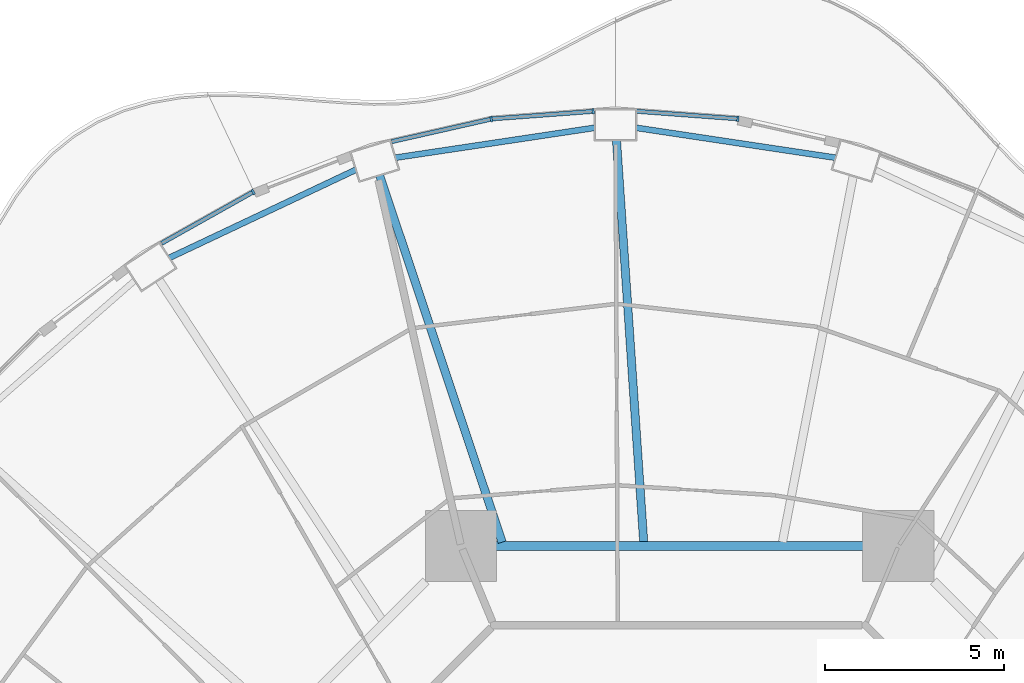
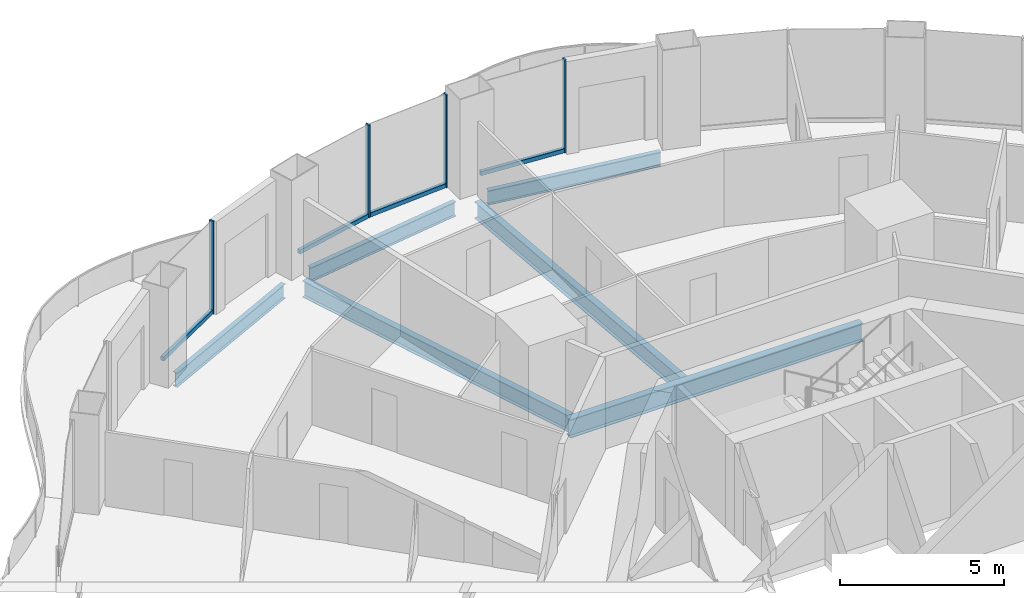
# One storey, part 7 of 20: 8 members, 6 beams, 4 elements without a shape of their own.
"""IFC4 building model written with IfcOpenShell, lengths in metres."""

from ifc_helpers import new_model, si_unit, direction, frame, origin, origin_2d, place, context, subcontext, project, spatial, rectangle, i_section, extrude, material, layer, layer_set, material_profile, profile_set, type_object, element, aggregate, save


model = new_model("IFC4")

# Units and contexts
model_context = context("Model", 3, precision=1e-05, world=origin(), true_north=direction((0.0, 1.0)))
body_context = subcontext(model_context, "Body", "Model", "MODEL_VIEW")
ifc_project = project(units=[si_unit("LENGTHUNIT", "METRE"), si_unit("AREAUNIT", "SQUARE_METRE"), si_unit("VOLUMEUNIT", "CUBIC_METRE"), si_unit("PLANEANGLEUNIT", "RADIAN"), si_unit("MASSUNIT", "GRAM", prefix="KILO")], contexts=[model_context])

# Site, building, storey
site_placement = place(None, origin())
site = spatial("IfcSite", under=ifc_project, at=site_placement, CompositionType="ELEMENT")
building_placement = place(site_placement, origin())
building = spatial("IfcBuilding", under=site, at=building_placement, Name="Nagisa Residences", CompositionType="ELEMENT")
storey_placement = place(building_placement, frame((0.0, 0.0, 141.800048828125)))
storey = spatial("IfcBuildingStorey", under=building, at=storey_placement, Name="L35", CompositionType="ELEMENT", Elevation=141.800048828125)

# Curtain wall, member
ifc_material_1 = material(Name="Concrete-coloured aluminium curtain wall system", Category="concrete")
ifc_layer = layer(ifc_material_1, 0.159912109375)
ifc_layer_set = layer_set([ifc_layer], Name="CW1 CURTAIN WALL")
curtain_wall_type = type_object("IfcCurtainWallType", Name="CW1 CURTAIN WALL", PredefinedType="NOTDEFINED", material=ifc_layer_set)
curtain_wall_1_placement = place(storey_placement, origin())
curtain_wall_1 = element("IfcCurtainWall", 1, at=curtain_wall_1_placement, inside=storey, type_object=curtain_wall_type, Name="cw:CW1:L35:11", PredefinedType="NOTDEFINED")
ifc_material_2 = material(Name="Concrete-coloured aluminium", Category="concrete")
ifc_material_profile_1 = material_profile(ifc_material_2, rectangle(XDim=0.159912109375, YDim=0.06005859375, at=origin_2d()), Name="CW1 MULLION 160x60")
ifc_profile_set_1 = profile_set([ifc_material_profile_1], Name="Concrete-coloured aluminium")
member_type_1 = type_object("IfcMemberType", Name="CW1 MULLION 160x60", PredefinedType="MULLION", material=ifc_profile_set_1)
member_1_placement = place(storey_placement, frame((1.627685546875, 26.741455078125, 0.0), z_axis=(0.0, 0.0, 1.0), x_axis=(-0.074377355493, -0.997230168512, 0.0)))
member_1 = element("IfcMember", 2, at=member_1_placement, type_object=member_type_1, Name="CW1 mullion", PredefinedType="MULLION", context=body_context, shape_type="SweptSolid", body=[
    extrude(rectangle(XDim=0.159912109375, YDim=0.06005859375, at=origin_2d()), origin(), (0.0, 0.0, 1.0), 3.43994140625),
])

curtain_wall_2_placement = place(storey_placement, origin())
curtain_wall_2 = element("IfcCurtainWall", 3, at=curtain_wall_2_placement, inside=storey, type_object=curtain_wall_type, Name="cw:CW1:L35:12", PredefinedType="NOTDEFINED")
member_2_placement = place(storey_placement, frame((-2.42236328125, 26.95068359375, 0.0), z_axis=(0.0, 0.0, 1.0), x_axis=(0.074377355493, -0.997230168512, 0.0)))
member_2 = element("IfcMember", 4, at=member_2_placement, type_object=member_type_1, Name="CW1 mullion", PredefinedType="MULLION", context=body_context, shape_type="SweptSolid", body=[
    extrude(rectangle(XDim=0.159912109375, YDim=0.06005859375, at=origin_2d()), origin(), (0.0, 0.0, 1.0), 3.43994140625),
])

curtain_wall_3_placement = place(storey_placement, origin())
curtain_wall_3 = element("IfcCurtainWall", 5, at=curtain_wall_3_placement, inside=storey, type_object=curtain_wall_type, Name="cw:CW1:L35:13", PredefinedType="NOTDEFINED")
member_3_placement = place(storey_placement, frame((-5.275146484375, 26.734375, 0.0), z_axis=(0.0, 0.0, 1.0), x_axis=(0.2207639201, -0.975327274089, 0.0)))
member_3 = element("IfcMember", 6, at=member_3_placement, type_object=member_type_1, Name="CW1 mullion", PredefinedType="MULLION", context=body_context, shape_type="SweptSolid", body=[
    extrude(rectangle(XDim=0.159912109375, YDim=0.06005859375, at=origin_2d()), origin(), (0.0, 0.0, 1.0), 3.43994140625),
])

curtain_wall_4_placement = place(storey_placement, origin())
curtain_wall_4 = element("IfcCurtainWall", 7, at=curtain_wall_4_placement, inside=storey, type_object=curtain_wall_type, Name="cw:CW1:L35:15", PredefinedType="NOTDEFINED")
member_4_placement = place(storey_placement, frame((-11.94140625, 24.6943359375, 0.0), z_axis=(0.0, 0.0, 1.0), x_axis=(0.489376918501, -0.872072377523, 0.0)))
member_4 = element("IfcMember", 8, at=member_4_placement, type_object=member_type_1, Name="CW1 mullion", PredefinedType="MULLION", context=body_context, shape_type="SweptSolid", body=[
    extrude(rectangle(XDim=0.159912109375, YDim=0.06005859375, at=origin_2d()), origin(), (0.0, 0.0, 1.0), 3.43994140625),
])

# Member
ifc_material_3 = material(Name="Concrete-coloured aluminium", Category="concrete")
ifc_material_profile_2 = material_profile(ifc_material_3, rectangle(XDim=0.1201171875, YDim=0.14990234375, at=origin_2d()), Name="CW1 TRANSOM 120x150")
ifc_profile_set_2 = profile_set([ifc_material_profile_2], Name="Concrete-coloured aluminium")
member_type_2 = type_object("IfcMemberType", Name="CW1 TRANSOM 120x150", PredefinedType="USERDEFINED", material=ifc_profile_set_2)
member_5_placement = place(storey_placement, frame((1.657470703125, 26.7392578125, 0.074951171875), z_axis=(-0.997231697044, 0.074356858535, 0.0), x_axis=(-0.074356858535, -0.997231697044, 0.0)))
member_5 = element("IfcMember", 9, at=member_5_placement, type_object=member_type_2, Name="CW1 transom", ObjectType="TRANSOM", PredefinedType="USERDEFINED", context=body_context, shape_type="SweptSolid", body=[
    extrude(rectangle(XDim=0.1201171875, YDim=0.14990234375, at=origin_2d()), origin(), (0.0, 0.0, 1.0), 2.873046875),
])

aggregate(curtain_wall_1, [member_1, member_5])

member_6_placement = place(storey_placement, frame((-2.392333984375, 26.952880859375, 0.074951171875), z_axis=(-0.997232166829, -0.074350557769, 0.0), x_axis=(0.074350557769, -0.997232166829, 0.0)))
member_6 = element("IfcMember", 10, at=member_6_placement, type_object=member_type_2, Name="CW1 transom", ObjectType="TRANSOM", PredefinedType="USERDEFINED", context=body_context, shape_type="SweptSolid", body=[
    extrude(rectangle(XDim=0.1201171875, YDim=0.14990234375, at=origin_2d()), origin(), (0.0, 0.0, 1.0), 2.873291015625),
])

aggregate(curtain_wall_2, [member_2, member_6])

member_7_placement = place(storey_placement, frame((-5.245849609375, 26.740966796875, 0.074951171875), z_axis=(-0.975320849653, -0.220792301117, 0.0), x_axis=(0.220792301117, -0.975320849653, 0.0)))
member_7 = element("IfcMember", 11, at=member_7_placement, type_object=member_type_2, Name="CW1 transom", ObjectType="TRANSOM", PredefinedType="USERDEFINED", context=body_context, shape_type="SweptSolid", body=[
    extrude(rectangle(XDim=0.1201171875, YDim=0.14990234375, at=origin_2d()), origin(), (0.0, 0.0, 1.0), 2.890380859375),
])

aggregate(curtain_wall_3, [member_3, member_7])

member_8_placement = place(storey_placement, frame((-11.915283203125, 24.708984375, 0.074951171875), z_axis=(-0.872101969379, -0.489324181914, 0.0), x_axis=(0.489324181914, -0.872101969379, 0.0)))
member_8 = element("IfcMember", 12, at=member_8_placement, type_object=member_type_2, Name="CW1 transom", ObjectType="TRANSOM", PredefinedType="USERDEFINED", context=body_context, shape_type="SweptSolid", body=[
    extrude(rectangle(XDim=0.1201171875, YDim=0.14990234375, at=origin_2d()), origin(), (0.0, 0.0, 1.0), 2.9697265625),
])

aggregate(curtain_wall_4, [member_4, member_8])

# Beams
ifc_material_4 = material(Name="Steel ASTM A572 Gr 50", Category="steel")
ifc_material_profile_3 = material_profile(ifc_material_4, i_section(OverallWidth=0.25390625, OverallDepth=0.68408203125, WebThickness=0.012451171875, FlangeThickness=0.018798828125, at=origin_2d()), Name="W690x140")
ifc_profile_set_3 = profile_set([ifc_material_profile_3], Name="Steel ASTM A572 Gr 50")
beam_type_1 = type_object("IfcBeamType", Name="Inner ring beam W690x140", PredefinedType="BEAM", material=ifc_profile_set_3)
beam_1_placement = place(storey_placement, frame((5.142822265625, 14.781982421875, -0.60205078125), z_axis=(-1.0, 0.0, 0.0), x_axis=(0.0, -1.0, 0.0)))
element("IfcBeam", 13, at=beam_1_placement, inside=storey, type_object=beam_type_1, Name="beam:L35:ib2", PredefinedType="BEAM", context=body_context, shape_type="SweptSolid", body=[
    extrude(i_section(OverallWidth=0.25390625, OverallDepth=0.68408203125, WebThickness=0.012451171875, FlangeThickness=0.018798828125, at=origin_2d()), origin(), (0.0, 0.0, 1.0), 10.28564453125),
])
ifc_material_5 = material(Name="Steel ASTM A572 Gr 50", Category="steel")
ifc_material_profile_4 = material_profile(ifc_material_5, i_section(OverallWidth=0.166015625, OverallDepth=0.534912109375, WebThickness=0.01025390625, FlangeThickness=0.0166015625, at=origin_2d()), Name="W530x85")
ifc_profile_set_4 = profile_set([ifc_material_profile_4], Name="Steel ASTM A572 Gr 50")
beam_type_2 = type_object("IfcBeamType", Name="Perimeter ring beam W530x85", PredefinedType="BEAM", material=ifc_profile_set_4)
for number, where, z_axis, x_axis, name in (
    (14, (4.3583984375, 25.652587890625, -0.527587890625), (-0.9889122118, 0.148501304214, 0.0), (-0.148501304214, -0.9889122118, 0.0), "beam:L35:pb06"),
    (15, (-2.380126953125, 26.490234375, -0.527587890625), (-0.9889122118, -0.148501304214, 0.0), (0.148501304214, -0.9889122118, 0.0), "beam:L35:pb07"),
):
    element("IfcBeam", number, at=place(storey_placement, frame(where, z_axis=z_axis, x_axis=x_axis)), inside=storey, type_object=beam_type_2, Name=name, PredefinedType="BEAM", context=body_context, shape_type="SweptSolid", body=[
        extrude(i_section(OverallWidth=0.166015625, OverallDepth=0.534912109375, WebThickness=0.01025390625, FlangeThickness=0.0166015625, at=origin_2d()), origin(), (0.0, 0.0, 1.0), 5.640625),
    ])
beam_2_placement = place(storey_placement, frame((-9.068603515625, 25.31494140625, -0.527587890625), z_axis=(-0.904169699539, -0.427173447719, 0.0), x_axis=(0.427173447719, -0.904169699539, 0.0)))
element("IfcBeam", 16, at=beam_2_placement, inside=storey, type_object=beam_type_2, Name="beam:L35:pb08", PredefinedType="BEAM", context=body_context, shape_type="SweptSolid", body=[
    extrude(i_section(OverallWidth=0.166015625, OverallDepth=0.534912109375, WebThickness=0.01025390625, FlangeThickness=0.0166015625, at=origin_2d()), origin(), (0.0, 0.0, 1.0), 5.7724609375),
])
ifc_material_6 = material(Name="Steel ASTM A572 Gr 50", Category="steel")
ifc_material_profile_5 = material_profile(ifc_material_6, i_section(OverallWidth=0.22900390625, OverallDepth=0.612060546875, WebThickness=0.011962890625, FlangeThickness=0.01953125, at=origin_2d()), Name="W610x125")
ifc_profile_set_5 = profile_set([ifc_material_profile_5], Name="Steel ASTM A572 Gr 50")
beam_type_3 = type_object("IfcBeamType", Name="Radial beam W610x125", PredefinedType="BEAM", material=ifc_profile_set_5)
beam_3_placement = place(storey_placement, frame((-1.77099609375, 26.147216796875, -0.566162109375), z_axis=(0.067591690418, -0.997713066661, 0.0), x_axis=(0.997713066661, 0.067591690418, 0.0)))
element("IfcBeam", 17, at=beam_3_placement, inside=storey, type_object=beam_type_3, Name="beam:L35:rb07", PredefinedType="BEAM", context=body_context, shape_type="SweptSolid", body=[
    extrude(i_section(OverallWidth=0.22900390625, OverallDepth=0.612060546875, WebThickness=0.011962890625, FlangeThickness=0.01953125, at=origin_2d()), origin(), (0.0, 0.0, 1.0), 11.283935546875),
])
beam_4_placement = place(storey_placement, frame((-8.402099609375, 25.157470703125, -0.566162109375), z_axis=(0.316789297789, -0.948495936104, 0.0), x_axis=(0.948495936104, 0.316789297789, 0.0)))
element("IfcBeam", 18, at=beam_4_placement, inside=storey, type_object=beam_type_3, Name="beam:L35:rb08", PredefinedType="BEAM", context=body_context, shape_type="SweptSolid", body=[
    extrude(i_section(OverallWidth=0.22900390625, OverallDepth=0.612060546875, WebThickness=0.011962890625, FlangeThickness=0.01953125, at=origin_2d()), origin(), (0.0, 0.0, 1.0), 10.824951171875),
])

save(model, "model.ifc")
